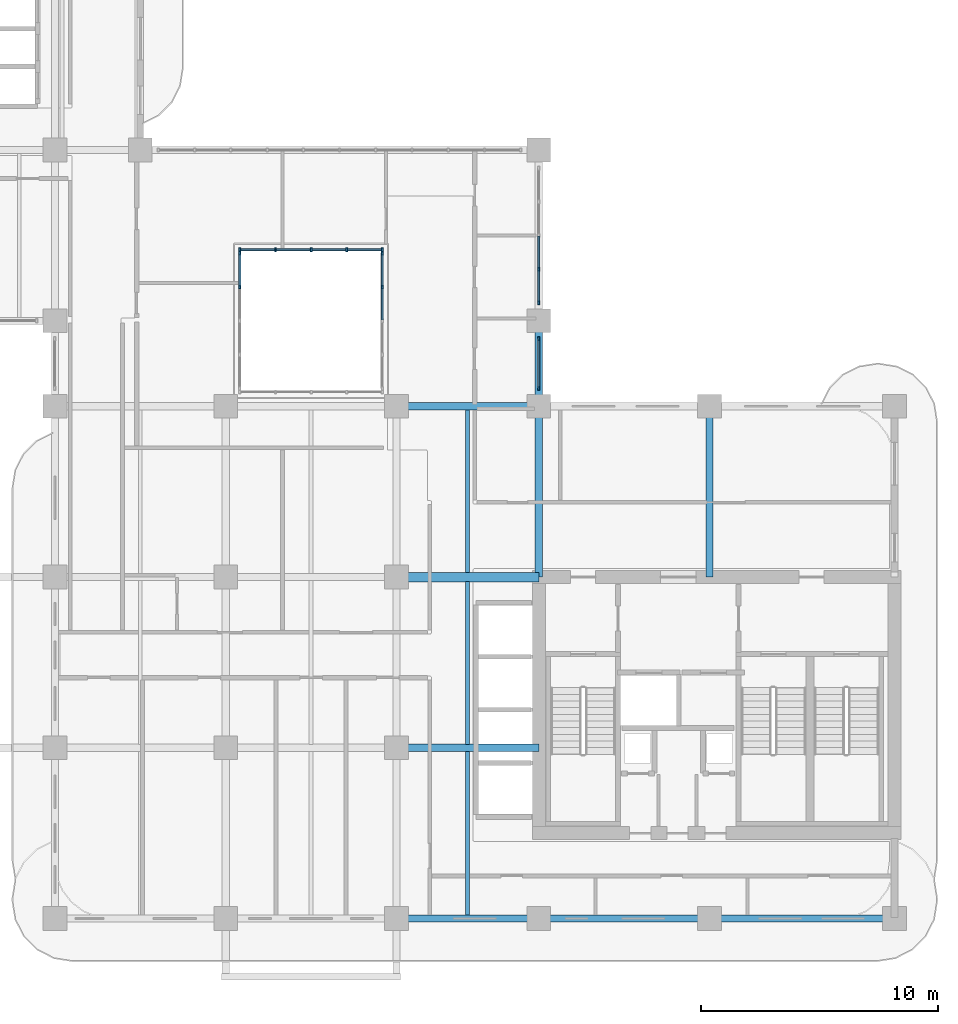
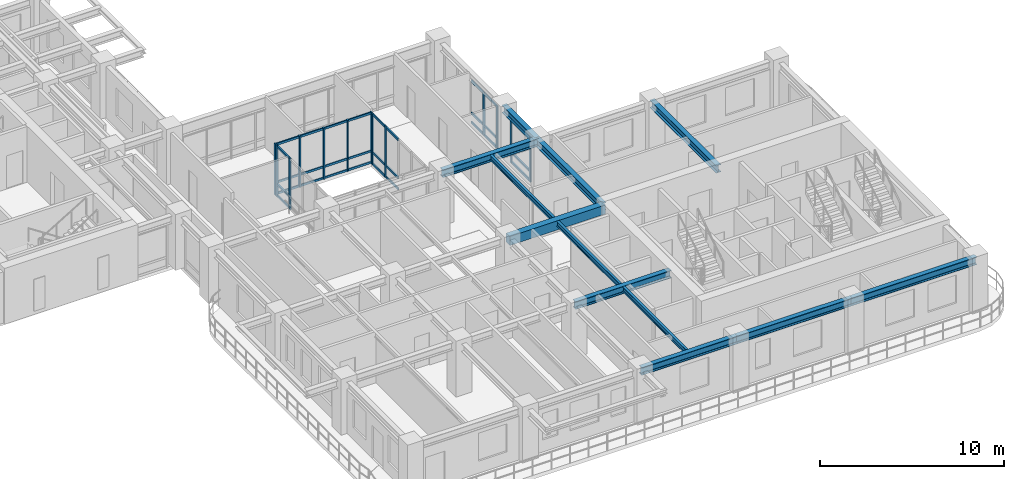
# One storey, part 3 of 21: 43 members, 12 beams, 5 elements without a shape of their own.
"""IFC4 building model written with IfcOpenShell, lengths in metres."""

from ifc_helpers import new_model, si_unit, derived_unit, direction, frame, origin, origin_2d, place, context, subcontext, project, spatial, rectangle, i_section, extrude, source, transform, mapped, material, layer, layer_set, material_profile, profile_set, type_object, type_shapes, element, aggregate, save


model = new_model("IFC4")

# Units and contexts
model_context = context("Model", 3, precision=1e-05, world=origin(), true_north=direction((0.0, 1.0)))
body_context = subcontext(model_context, "Body", "Model", "MODEL_VIEW")
ifc_project = project(units=[si_unit("LENGTHUNIT", "METRE"), si_unit("AREAUNIT", "SQUARE_METRE"), si_unit("VOLUMEUNIT", "CUBIC_METRE"), si_unit("PLANEANGLEUNIT", "RADIAN"), si_unit("MASSUNIT", "GRAM", prefix="KILO"), si_unit("THERMODYNAMICTEMPERATUREUNIT", "KELVIN"), si_unit("POWERUNIT", "WATT"), derived_unit("THERMALTRANSMITTANCEUNIT", [(si_unit("POWERUNIT", "WATT"), 1), (si_unit("AREAUNIT", "SQUARE_METRE"), -1), (si_unit("THERMODYNAMICTEMPERATUREUNIT", "KELVIN"), -1)])], contexts=[model_context])

# Site, building, storey
site_placement = place(None, origin())
site = spatial("IfcSite", under=ifc_project, at=site_placement, CompositionType="ELEMENT")
building_placement = place(site_placement, origin())
building = spatial("IfcBuilding", under=site, at=building_placement, Name="Zahravan Archway Hotel and Residences", CompositionType="ELEMENT")
storey_placement = place(building_placement, frame((0.0, 0.0, 141.39990234375)))
storey = spatial("IfcBuildingStorey", under=building, at=storey_placement, Name="L35", CompositionType="ELEMENT", Elevation=141.39990234375)

# Beams
ifc_material_1 = material(Name="Concrete C60/75", Category="concrete")
ifc_material_profile_1 = material_profile(ifc_material_1, rectangle(XDim=0.39990234375, YDim=0.60009765625, at=origin_2d()), Name="RC-LNT-400x600", Category="concrete")
ifc_profile_set_1 = profile_set([ifc_material_profile_1], Name="Concrete C60/75")
beam_type_1 = type_object("IfcBeamType", Name="LNT-RC-400x600", PredefinedType="LINTEL", material=ifc_profile_set_1)
shared_shape_1 = source(origin(), body_context, "Body", "SweptSolid", [
    extrude(rectangle(XDim=0.39990234375, YDim=0.60009765625, at=origin_2d()), origin(), (0.0, 0.0, 1.0), 6.0),
])
type_shapes(beam_type_1, [shared_shape_1])
beam_1_placement = place(storey_placement, frame((28.800048828125, 14.39990234375, 3.10009765625), z_axis=(1.0, 0.0, 0.0), x_axis=(0.0, 1.0, 0.0)))
element("IfcBeam", 1, at=beam_1_placement, inside=storey, type_object=beam_type_1, Name="L35 Core A Coupling Lintel Beam", PredefinedType="LINTEL", context=body_context, shape_type="MappedRepresentation", body=[
    mapped(shared_shape_1, transform((0.0, 0.0, 0.0), scale=1.0)),
])
ifc_material_2 = material(Name="Structural Steel S355JR", Category="steel")
ifc_material_profile_2 = material_profile(ifc_material_2, i_section(OverallWidth=0.300048828125, OverallDepth=0.5, WebThickness=0.014404296875, FlangeThickness=0.028076171875, FilletRadius=0.027099609375, at=origin_2d()), Name="HEB 500", Category="steel")
ifc_profile_set_2 = profile_set([ifc_material_profile_2], Name="Structural Steel S355JR")
beam_type_2 = type_object("IfcBeamType", Name="BM-PRI-HEB500", PredefinedType="BEAM", material=ifc_profile_set_2)
shared_shape_2 = source(origin(), body_context, "Body", "SweptSolid", [
    extrude(i_section(OverallWidth=0.300048828125, OverallDepth=0.5, WebThickness=0.014404296875, FlangeThickness=0.028076171875, FilletRadius=0.027099609375, at=origin_2d()), origin(), (0.0, 0.0, 1.0), 7.2001953125),
])
type_shapes(beam_type_2, [shared_shape_2])
for number, where, z_axis, x_axis, name in (
    (2, (34.800048828125, 14.39990234375, 3.150146484375), (0.0, 1.0, 0.0), (-1.0, 0.0, 0.0), "L35 Primary Girder NS-41"),
    (3, (42.0, 14.39990234375, 3.150146484375), (0.0, 1.0, 0.0), (-1.0, 0.0, 0.0), "L35 Primary Girder NS-44"),
):
    element("IfcBeam", number, at=place(storey_placement, frame(where, z_axis=z_axis, x_axis=x_axis)), inside=storey, type_object=beam_type_2, Name=name, PredefinedType="BEAM", context=body_context, shape_type="MappedRepresentation", body=[
        mapped(shared_shape_2, transform((0.0, 0.0, 0.0), scale=1.0)),
    ])
shared_shape_3 = source(origin(), body_context, "Body", "SweptSolid", [
    extrude(i_section(OverallWidth=0.300048828125, OverallDepth=0.5, WebThickness=0.014404296875, FlangeThickness=0.028076171875, FilletRadius=0.027099609375, at=origin_2d()), origin(), (0.0, 0.0, 1.0), 7.199951171875),
])
beam_2_placement = place(storey_placement, frame((34.800048828125, 0.0, 3.150146484375), z_axis=(1.0, 0.0, 0.0), x_axis=(0.0, 1.0, 0.0)))
element("IfcBeam", 4, at=beam_2_placement, inside=storey, type_object=beam_type_2, Name="L35 Primary Girder EW-04", PredefinedType="BEAM", context=body_context, shape_type="MappedRepresentation", body=[
    mapped(shared_shape_3, transform((0.0, 0.0, 0.0), scale=1.0)),
])
shared_shape_4 = source(origin(), body_context, "Body", "SweptSolid", [
    extrude(i_section(OverallWidth=0.300048828125, OverallDepth=0.5, WebThickness=0.014404296875, FlangeThickness=0.028076171875, FilletRadius=0.027099609375, at=origin_2d()), origin(), (0.0, 0.0, 1.0), 6.0),
])
for number, where, z_axis, x_axis, name in (
    (5, (28.800048828125, 0.0, 3.150146484375), (1.0, 0.0, 0.0), (0.0, 1.0, 0.0), "L35 Primary Girder EW-03"),
    (6, (28.800048828125, 7.199951171875, 3.150146484375), (1.0, 0.0, 0.0), (0.0, 1.0, 0.0), "L35 Primary Girder EW-08"),
    (7, (28.800048828125, 21.60009765625, 3.150146484375), (1.0, 0.0, 0.0), (0.0, 1.0, 0.0), "L35 Primary Girder EW-13"),
):
    element("IfcBeam", number, at=place(storey_placement, frame(where, z_axis=z_axis, x_axis=x_axis)), inside=storey, type_object=beam_type_2, Name=name, PredefinedType="BEAM", context=body_context, shape_type="MappedRepresentation", body=[
        mapped(shared_shape_4, transform((0.0, 0.0, 0.0), scale=1.0)),
    ])
shared_shape_5 = source(origin(), body_context, "Body", "SweptSolid", [
    extrude(i_section(OverallWidth=0.300048828125, OverallDepth=0.5, WebThickness=0.014404296875, FlangeThickness=0.028076171875, FilletRadius=0.027099609375, at=origin_2d()), origin(), (0.0, 0.0, 1.0), 7.800048828125),
])
beam_3_placement = place(storey_placement, frame((42.0, 0.0, 3.150146484375), z_axis=(1.0, 0.0, 0.0), x_axis=(0.0, 1.0, 0.0)))
element("IfcBeam", 8, at=beam_3_placement, inside=storey, type_object=beam_type_2, Name="L35 Primary Girder EW-05", PredefinedType="BEAM", context=body_context, shape_type="MappedRepresentation", body=[
    mapped(shared_shape_5, transform((0.0, 0.0, 0.0), scale=1.0)),
])
shared_shape_6 = source(origin(), body_context, "Body", "SweptSolid", [
    extrude(i_section(OverallWidth=0.300048828125, OverallDepth=0.5, WebThickness=0.014404296875, FlangeThickness=0.028076171875, FilletRadius=0.027099609375, at=origin_2d()), origin(), (0.0, 0.0, 1.0), 3.599853515625),
])
beam_4_placement = place(storey_placement, frame((34.800048828125, 21.60009765625, 3.150146484375), z_axis=(0.0, 1.0, 0.0), x_axis=(-1.0, 0.0, 0.0)))
element("IfcBeam", 9, at=beam_4_placement, inside=storey, type_object=beam_type_2, Name="L35 Primary Girder NS-42", PredefinedType="BEAM", context=body_context, shape_type="MappedRepresentation", body=[
    mapped(shared_shape_6, transform((0.0, 0.0, 0.0), scale=1.0)),
])
ifc_material_profile_3 = material_profile(ifc_material_2, i_section(OverallWidth=0.159912109375, OverallDepth=0.330078125, WebThickness=0.007568359375, FlangeThickness=0.011474609375, FilletRadius=0.01806640625, at=origin_2d()), Name="IPE 330", Category="steel")
ifc_profile_set_3 = profile_set([ifc_material_profile_3], Name="Structural Steel S355JR")
beam_type_3 = type_object("IfcBeamType", Name="BM-JST-IPE330", PredefinedType="JOIST", material=ifc_profile_set_3)
shared_shape_7 = source(origin(), body_context, "Body", "SweptSolid", [
    extrude(i_section(OverallWidth=0.159912109375, OverallDepth=0.330078125, WebThickness=0.007568359375, FlangeThickness=0.011474609375, FilletRadius=0.01806640625, at=origin_2d()), origin(), (0.0, 0.0, 1.0), 6.904052734375),
])
type_shapes(beam_type_3, [shared_shape_7])
beam_5_placement = place(storey_placement, frame((31.800048828125, 0.14794921875, 3.235107421875), z_axis=(0.0, 1.0, 0.0), x_axis=(-1.0, 0.0, 0.0)))
element("IfcBeam", 10, at=beam_5_placement, inside=storey, type_object=beam_type_3, Name="L35 Composite Floor Joist 03", PredefinedType="JOIST", context=body_context, shape_type="MappedRepresentation", body=[
    mapped(shared_shape_7, transform((0.0, 0.0, 0.0), scale=1.0)),
])
shared_shape_8 = source(origin(), body_context, "Body", "SweptSolid", [
    extrude(i_section(OverallWidth=0.159912109375, OverallDepth=0.330078125, WebThickness=0.007568359375, FlangeThickness=0.011474609375, FilletRadius=0.01806640625, at=origin_2d()), origin(), (0.0, 0.0, 1.0), 6.85400390625),
])
for number, where, z_axis, x_axis, name in (
    (11, (31.800048828125, 7.347900390625, 3.235107421875), (0.0, 1.0, 0.0), (-1.0, 0.0, 0.0), "L35 Composite Floor Joist 06"),
    (12, (31.800048828125, 14.597900390625, 3.235107421875), (0.0, 1.0, 0.0), (-1.0, 0.0, 0.0), "L35 Composite Floor Joist 07"),
):
    element("IfcBeam", number, at=place(storey_placement, frame(where, z_axis=z_axis, x_axis=x_axis)), inside=storey, type_object=beam_type_3, Name=name, PredefinedType="JOIST", context=body_context, shape_type="MappedRepresentation", body=[
        mapped(shared_shape_8, transform((0.0, 0.0, 0.0), scale=1.0)),
    ])

# Curtain wall, members
ifc_material_3 = material(Name="Bronze-Anodized Unitised Aluminium & Low-E Glass", Category="aluminium")
ifc_layer = layer(ifc_material_3, 0.179931640625, Name="Bronze-Anodized Unitised Aluminium & Low-E Glass", Category="aluminium")
ifc_layer_set = layer_set([ifc_layer], Name="Bronze-Anodized Unitised Aluminium & Low-E Glass")
curtain_wall_type = type_object("IfcCurtainWallType", Name="CW-ATR-GLAZ", PredefinedType="NOTDEFINED", material=ifc_layer_set)
curtain_wall_1_placement = place(storey_placement, origin())
curtain_wall_1 = element("IfcCurtainWall", 13, at=curtain_wall_1_placement, inside=storey, type_object=curtain_wall_type, Name="L35 Curtain Wall CW-L35-HNG-E-2", PredefinedType="NOTDEFINED")
ifc_material_4 = material(Name="Bronze-Anodized Extruded Aluminium", Category="aluminium")
ifc_material_profile_4 = material_profile(ifc_material_4, rectangle(XDim=0.080078125, YDim=0.139892578125, at=origin_2d()), Name="TRN 80x140", Category="aluminium")
ifc_profile_set_4 = profile_set([ifc_material_profile_4], Name="Bronze-Anodized Extruded Aluminium")
member_type_1 = type_object("IfcMemberType", Name="CWM-TRN-140", PredefinedType="USERDEFINED", material=ifc_profile_set_4)
shared_shape_9 = source(origin(), body_context, "Body", "SweptSolid", [
    extrude(rectangle(XDim=0.080078125, YDim=0.139892578125, at=origin_2d()), origin(), (0.0, 0.0, 1.0), 1.340087890625),
])
member_1_placement = place(storey_placement, frame((34.800048828125, 26.0, 0.070068359375), z_axis=(0.0, 1.0, 0.0), x_axis=(-1.0, 0.0, 0.0)))
member_1 = element("IfcMember", 14, at=member_1_placement, type_object=member_type_1, Name="CW-L35-HNG-E-2 Transom 0-1", ObjectType="TRANSOM", PredefinedType="USERDEFINED", context=body_context, shape_type="MappedRepresentation", body=[
    mapped(shared_shape_9, transform((0.0, 0.0, 0.0), scale=1.0)),
])
member_2_placement = place(storey_placement, frame((34.800048828125, 26.0, 0.6923828125), z_axis=(0.0, 1.0, 0.0), x_axis=(-1.0, 0.0, 0.0)))
member_2 = element("IfcMember", 15, at=member_2_placement, type_object=member_type_1, Name="CW-L35-HNG-E-2 Transom 0-2", ObjectType="TRANSOM", PredefinedType="USERDEFINED", context=body_context, shape_type="MappedRepresentation", body=[
    mapped(shared_shape_9, transform((0.0, 0.0, 0.0), scale=1.0)),
])
member_3_placement = place(storey_placement, frame((34.800048828125, 26.0, 2.815185546875), z_axis=(0.0, 1.0, 0.0), x_axis=(-1.0, 0.0, 0.0)))
member_3 = element("IfcMember", 16, at=member_3_placement, type_object=member_type_1, Name="CW-L35-HNG-E-2 Transom 0-3", ObjectType="TRANSOM", PredefinedType="USERDEFINED", context=body_context, shape_type="MappedRepresentation", body=[
    mapped(shared_shape_9, transform((0.0, 0.0, 0.0), scale=1.0)),
])
member_4_placement = place(storey_placement, frame((34.800048828125, 27.419921875, 0.070068359375), z_axis=(0.0, 1.0, 0.0), x_axis=(-1.0, 0.0, 0.0)))
member_4 = element("IfcMember", 17, at=member_4_placement, type_object=member_type_1, Name="CW-L35-HNG-E-2 Transom 1-1", ObjectType="TRANSOM", PredefinedType="USERDEFINED", context=body_context, shape_type="MappedRepresentation", body=[
    mapped(shared_shape_9, transform((0.0, 0.0, 0.0), scale=1.0)),
])
member_5_placement = place(storey_placement, frame((34.800048828125, 27.419921875, 0.6923828125), z_axis=(0.0, 1.0, 0.0), x_axis=(-1.0, 0.0, 0.0)))
member_5 = element("IfcMember", 18, at=member_5_placement, type_object=member_type_1, Name="CW-L35-HNG-E-2 Transom 1-2", ObjectType="TRANSOM", PredefinedType="USERDEFINED", context=body_context, shape_type="MappedRepresentation", body=[
    mapped(shared_shape_9, transform((0.0, 0.0, 0.0), scale=1.0)),
])
member_6_placement = place(storey_placement, frame((34.800048828125, 27.419921875, 2.815185546875), z_axis=(0.0, 1.0, 0.0), x_axis=(-1.0, 0.0, 0.0)))
member_6 = element("IfcMember", 19, at=member_6_placement, type_object=member_type_1, Name="CW-L35-HNG-E-2 Transom 1-3", ObjectType="TRANSOM", PredefinedType="USERDEFINED", context=body_context, shape_type="MappedRepresentation", body=[
    mapped(shared_shape_9, transform((0.0, 0.0, 0.0), scale=1.0)),
])

curtain_wall_2_placement = place(storey_placement, origin())
curtain_wall_2 = element("IfcCurtainWall", 20, at=curtain_wall_2_placement, inside=storey, type_object=curtain_wall_type, Name="L35 Curtain Wall CW-L35-HNG-E-1", PredefinedType="NOTDEFINED")
ifc_material_profile_5 = material_profile(ifc_material_4, rectangle(XDim=0.080078125, YDim=0.159912109375, at=origin_2d()), Name="MUL 80x160", Category="aluminium")
ifc_profile_set_5 = profile_set([ifc_material_profile_5], Name="Bronze-Anodized Extruded Aluminium")
member_type_2 = type_object("IfcMemberType", Name="CWM-MUL-160", PredefinedType="MULLION", material=ifc_profile_set_5)
shared_shape_10 = source(origin(), body_context, "Body", "SweptSolid", [
    extrude(rectangle(XDim=0.080078125, YDim=0.159912109375, at=origin_2d()), origin(), (0.0, 0.0, 1.0), 2.885009765625),
])
member_7_placement = place(storey_placement, frame((34.800048828125, 22.360107421875, 0.0), z_axis=(0.0, 0.0, 1.0), x_axis=(1.0, 0.0, 0.0)))
member_7 = element("IfcMember", 21, at=member_7_placement, type_object=member_type_2, Name="CW-L35-HNG-E-1 Mullion 0", PredefinedType="MULLION", context=body_context, shape_type="MappedRepresentation", body=[
    mapped(shared_shape_10, transform((0.0, 0.0, 0.0), scale=1.0)),
])
member_8_placement = place(storey_placement, frame((34.800048828125, 24.43994140625, 0.0), z_axis=(0.0, 0.0, 1.0), x_axis=(1.0, 0.0, 0.0)))
member_8 = element("IfcMember", 22, at=member_8_placement, type_object=member_type_2, Name="CW-L35-HNG-E-1 Mullion 1", PredefinedType="MULLION", context=body_context, shape_type="MappedRepresentation", body=[
    mapped(shared_shape_10, transform((0.0, 0.0, 0.0), scale=1.0)),
])

# Member
member_9_placement = place(storey_placement, frame((34.800048828125, 25.9599609375, 0.0), z_axis=(0.0, 0.0, 1.0), x_axis=(1.0, 0.0, 0.0)))
member_9 = element("IfcMember", 23, at=member_9_placement, type_object=member_type_2, Name="CW-L35-HNG-E-2 Mullion 0", PredefinedType="MULLION", context=body_context, shape_type="MappedRepresentation", body=[
    mapped(shared_shape_10, transform((0.0, 0.0, 0.0), scale=1.0)),
])

member_10_placement = place(storey_placement, frame((34.800048828125, 27.3798828125, 0.0), z_axis=(0.0, 0.0, 1.0), x_axis=(1.0, 0.0, 0.0)))
member_10 = element("IfcMember", 24, at=member_10_placement, type_object=member_type_2, Name="CW-L35-HNG-E-2 Mullion 1", PredefinedType="MULLION", context=body_context, shape_type="MappedRepresentation", body=[
    mapped(shared_shape_10, transform((0.0, 0.0, 0.0), scale=1.0)),
])

aggregate(curtain_wall_1, [member_9, member_10, member_1, member_2, member_3, member_4, member_5, member_6])

shared_shape_11 = source(origin(), body_context, "Body", "SweptSolid", [
    extrude(rectangle(XDim=0.080078125, YDim=0.139892578125, at=origin_2d()), origin(), (0.0, 0.0, 1.0), 2.0),
])
member_11_placement = place(storey_placement, frame((34.800048828125, 22.39990234375, 0.070068359375), z_axis=(0.0, 1.0, 0.0), x_axis=(-1.0, 0.0, 0.0)))
member_11 = element("IfcMember", 25, at=member_11_placement, type_object=member_type_1, Name="CW-L35-HNG-E-1 Transom 0-1", ObjectType="TRANSOM", PredefinedType="USERDEFINED", context=body_context, shape_type="MappedRepresentation", body=[
    mapped(shared_shape_11, transform((0.0, 0.0, 0.0), scale=1.0)),
])

member_12_placement = place(storey_placement, frame((34.800048828125, 22.39990234375, 0.6923828125), z_axis=(0.0, 1.0, 0.0), x_axis=(-1.0, 0.0, 0.0)))
member_12 = element("IfcMember", 26, at=member_12_placement, type_object=member_type_1, Name="CW-L35-HNG-E-1 Transom 0-2", ObjectType="TRANSOM", PredefinedType="USERDEFINED", context=body_context, shape_type="MappedRepresentation", body=[
    mapped(shared_shape_11, transform((0.0, 0.0, 0.0), scale=1.0)),
])

member_13_placement = place(storey_placement, frame((34.800048828125, 22.39990234375, 2.815185546875), z_axis=(0.0, 1.0, 0.0), x_axis=(-1.0, 0.0, 0.0)))
member_13 = element("IfcMember", 27, at=member_13_placement, type_object=member_type_1, Name="CW-L35-HNG-E-1 Transom 0-3", ObjectType="TRANSOM", PredefinedType="USERDEFINED", context=body_context, shape_type="MappedRepresentation", body=[
    mapped(shared_shape_11, transform((0.0, 0.0, 0.0), scale=1.0)),
])

aggregate(curtain_wall_2, [member_7, member_8, member_11, member_12, member_13])

# Curtain wall, members
curtain_wall_3_placement = place(storey_placement, origin())
curtain_wall_3 = element("IfcCurtainWall", 28, at=curtain_wall_3_placement, inside=storey, type_object=curtain_wall_type, Name="L35 Curtain Wall CW-ATR-L35-N-1", PredefinedType="NOTDEFINED")
shared_shape_12 = source(origin(), body_context, "Body", "SweptSolid", [
    extrude(rectangle(XDim=0.080078125, YDim=0.139892578125, at=origin_2d()), origin(), (0.0, 0.0, 1.0), 1.419921875),
])
member_14_placement = place(storey_placement, frame((22.239990234375, 28.199951171875, 0.070068359375), z_axis=(1.0, 0.0, 0.0), x_axis=(0.0, 1.0, 0.0)))
member_14 = element("IfcMember", 29, at=member_14_placement, type_object=member_type_1, Name="CW-ATR-L35-N-1 Transom 0-1", ObjectType="TRANSOM", PredefinedType="USERDEFINED", context=body_context, shape_type="MappedRepresentation", body=[
    mapped(shared_shape_12, transform((0.0, 0.0, 0.0), scale=1.0)),
])
member_15_placement = place(storey_placement, frame((22.239990234375, 28.199951171875, 0.816162109375), z_axis=(1.0, 0.0, 0.0), x_axis=(0.0, 1.0, 0.0)))
member_15 = element("IfcMember", 30, at=member_15_placement, type_object=member_type_1, Name="CW-ATR-L35-N-1 Transom 0-2", ObjectType="TRANSOM", PredefinedType="USERDEFINED", context=body_context, shape_type="MappedRepresentation", body=[
    mapped(shared_shape_12, transform((0.0, 0.0, 0.0), scale=1.0)),
])
member_16_placement = place(storey_placement, frame((22.239990234375, 28.199951171875, 3.330078125), z_axis=(1.0, 0.0, 0.0), x_axis=(0.0, 1.0, 0.0)))
member_16 = element("IfcMember", 31, at=member_16_placement, type_object=member_type_1, Name="CW-ATR-L35-N-1 Transom 0-3", ObjectType="TRANSOM", PredefinedType="USERDEFINED", context=body_context, shape_type="MappedRepresentation", body=[
    mapped(shared_shape_12, transform((0.0, 0.0, 0.0), scale=1.0)),
])
member_17_placement = place(storey_placement, frame((23.739990234375, 28.199951171875, 0.070068359375), z_axis=(1.0, 0.0, 0.0), x_axis=(0.0, 1.0, 0.0)))
member_17 = element("IfcMember", 32, at=member_17_placement, type_object=member_type_1, Name="CW-ATR-L35-N-1 Transom 1-1", ObjectType="TRANSOM", PredefinedType="USERDEFINED", context=body_context, shape_type="MappedRepresentation", body=[
    mapped(shared_shape_12, transform((0.0, 0.0, 0.0), scale=1.0)),
])
member_18_placement = place(storey_placement, frame((23.739990234375, 28.199951171875, 0.816162109375), z_axis=(1.0, 0.0, 0.0), x_axis=(0.0, 1.0, 0.0)))
member_18 = element("IfcMember", 33, at=member_18_placement, type_object=member_type_1, Name="CW-ATR-L35-N-1 Transom 1-2", ObjectType="TRANSOM", PredefinedType="USERDEFINED", context=body_context, shape_type="MappedRepresentation", body=[
    mapped(shared_shape_12, transform((0.0, 0.0, 0.0), scale=1.0)),
])
member_19_placement = place(storey_placement, frame((23.739990234375, 28.199951171875, 3.330078125), z_axis=(1.0, 0.0, 0.0), x_axis=(0.0, 1.0, 0.0)))
member_19 = element("IfcMember", 34, at=member_19_placement, type_object=member_type_1, Name="CW-ATR-L35-N-1 Transom 1-3", ObjectType="TRANSOM", PredefinedType="USERDEFINED", context=body_context, shape_type="MappedRepresentation", body=[
    mapped(shared_shape_12, transform((0.0, 0.0, 0.0), scale=1.0)),
])
member_20_placement = place(storey_placement, frame((25.239990234375, 28.199951171875, 0.070068359375), z_axis=(1.0, 0.0, 0.0), x_axis=(0.0, 1.0, 0.0)))
member_20 = element("IfcMember", 35, at=member_20_placement, type_object=member_type_1, Name="CW-ATR-L35-N-1 Transom 2-1", ObjectType="TRANSOM", PredefinedType="USERDEFINED", context=body_context, shape_type="MappedRepresentation", body=[
    mapped(shared_shape_12, transform((0.0, 0.0, 0.0), scale=1.0)),
])
member_21_placement = place(storey_placement, frame((25.239990234375, 28.199951171875, 0.816162109375), z_axis=(1.0, 0.0, 0.0), x_axis=(0.0, 1.0, 0.0)))
member_21 = element("IfcMember", 36, at=member_21_placement, type_object=member_type_1, Name="CW-ATR-L35-N-1 Transom 2-2", ObjectType="TRANSOM", PredefinedType="USERDEFINED", context=body_context, shape_type="MappedRepresentation", body=[
    mapped(shared_shape_12, transform((0.0, 0.0, 0.0), scale=1.0)),
])
member_22_placement = place(storey_placement, frame((25.239990234375, 28.199951171875, 3.330078125), z_axis=(1.0, 0.0, 0.0), x_axis=(0.0, 1.0, 0.0)))
member_22 = element("IfcMember", 37, at=member_22_placement, type_object=member_type_1, Name="CW-ATR-L35-N-1 Transom 2-3", ObjectType="TRANSOM", PredefinedType="USERDEFINED", context=body_context, shape_type="MappedRepresentation", body=[
    mapped(shared_shape_12, transform((0.0, 0.0, 0.0), scale=1.0)),
])
member_23_placement = place(storey_placement, frame((26.739990234375, 28.199951171875, 0.070068359375), z_axis=(1.0, 0.0, 0.0), x_axis=(0.0, 1.0, 0.0)))
member_23 = element("IfcMember", 38, at=member_23_placement, type_object=member_type_1, Name="CW-ATR-L35-N-1 Transom 3-1", ObjectType="TRANSOM", PredefinedType="USERDEFINED", context=body_context, shape_type="MappedRepresentation", body=[
    mapped(shared_shape_12, transform((0.0, 0.0, 0.0), scale=1.0)),
])
member_24_placement = place(storey_placement, frame((26.739990234375, 28.199951171875, 0.816162109375), z_axis=(1.0, 0.0, 0.0), x_axis=(0.0, 1.0, 0.0)))
member_24 = element("IfcMember", 39, at=member_24_placement, type_object=member_type_1, Name="CW-ATR-L35-N-1 Transom 3-2", ObjectType="TRANSOM", PredefinedType="USERDEFINED", context=body_context, shape_type="MappedRepresentation", body=[
    mapped(shared_shape_12, transform((0.0, 0.0, 0.0), scale=1.0)),
])
member_25_placement = place(storey_placement, frame((26.739990234375, 28.199951171875, 3.330078125), z_axis=(1.0, 0.0, 0.0), x_axis=(0.0, 1.0, 0.0)))
member_25 = element("IfcMember", 40, at=member_25_placement, type_object=member_type_1, Name="CW-ATR-L35-N-1 Transom 3-3", ObjectType="TRANSOM", PredefinedType="USERDEFINED", context=body_context, shape_type="MappedRepresentation", body=[
    mapped(shared_shape_12, transform((0.0, 0.0, 0.0), scale=1.0)),
])

curtain_wall_4_placement = place(storey_placement, origin())
curtain_wall_4 = element("IfcCurtainWall", 41, at=curtain_wall_4_placement, inside=storey, type_object=curtain_wall_type, Name="L35 Curtain Wall CW-ATR-L35-W-1", PredefinedType="NOTDEFINED")
shared_shape_13 = source(origin(), body_context, "Body", "SweptSolid", [
    extrude(rectangle(XDim=0.080078125, YDim=0.139892578125, at=origin_2d()), origin(), (0.0, 0.0, 1.0), 1.344970703125),
])
member_26_placement = place(storey_placement, frame((22.199951171875, 26.6650390625, 0.070068359375), z_axis=(0.0, 1.0, 0.0), x_axis=(-1.0, 0.0, 0.0)))
member_26 = element("IfcMember", 42, at=member_26_placement, type_object=member_type_1, Name="CW-ATR-L35-W-1 Transom 3-1", ObjectType="TRANSOM", PredefinedType="USERDEFINED", context=body_context, shape_type="MappedRepresentation", body=[
    mapped(shared_shape_13, transform((0.0, 0.0, 0.0), scale=1.0)),
])
member_27_placement = place(storey_placement, frame((22.199951171875, 26.6650390625, 0.816162109375), z_axis=(0.0, 1.0, 0.0), x_axis=(-1.0, 0.0, 0.0)))
member_27 = element("IfcMember", 43, at=member_27_placement, type_object=member_type_1, Name="CW-ATR-L35-W-1 Transom 3-2", ObjectType="TRANSOM", PredefinedType="USERDEFINED", context=body_context, shape_type="MappedRepresentation", body=[
    mapped(shared_shape_13, transform((0.0, 0.0, 0.0), scale=1.0)),
])
member_28_placement = place(storey_placement, frame((22.199951171875, 26.6650390625, 3.330078125), z_axis=(0.0, 1.0, 0.0), x_axis=(-1.0, 0.0, 0.0)))
member_28 = element("IfcMember", 44, at=member_28_placement, type_object=member_type_1, Name="CW-ATR-L35-W-1 Transom 3-3", ObjectType="TRANSOM", PredefinedType="USERDEFINED", context=body_context, shape_type="MappedRepresentation", body=[
    mapped(shared_shape_13, transform((0.0, 0.0, 0.0), scale=1.0)),
])

curtain_wall_5_placement = place(storey_placement, origin())
curtain_wall_5 = element("IfcCurtainWall", 45, at=curtain_wall_5_placement, inside=storey, type_object=curtain_wall_type, Name="L35 Curtain Wall CW-ATR-L35-E-1", PredefinedType="NOTDEFINED")
member_29_placement = place(storey_placement, frame((28.199951171875, 25.239990234375, 0.070068359375), z_axis=(0.0, 1.0, 0.0), x_axis=(-1.0, 0.0, 0.0)))
member_29 = element("IfcMember", 46, at=member_29_placement, type_object=member_type_1, Name="CW-ATR-L35-E-1 Transom 2-1", ObjectType="TRANSOM", PredefinedType="USERDEFINED", context=body_context, shape_type="MappedRepresentation", body=[
    mapped(shared_shape_13, transform((0.0, 0.0, 0.0), scale=1.0)),
])
member_30_placement = place(storey_placement, frame((28.199951171875, 25.239990234375, 0.816162109375), z_axis=(0.0, 1.0, 0.0), x_axis=(-1.0, 0.0, 0.0)))
member_30 = element("IfcMember", 47, at=member_30_placement, type_object=member_type_1, Name="CW-ATR-L35-E-1 Transom 2-2", ObjectType="TRANSOM", PredefinedType="USERDEFINED", context=body_context, shape_type="MappedRepresentation", body=[
    mapped(shared_shape_13, transform((0.0, 0.0, 0.0), scale=1.0)),
])
member_31_placement = place(storey_placement, frame((28.199951171875, 25.239990234375, 3.330078125), z_axis=(0.0, 1.0, 0.0), x_axis=(-1.0, 0.0, 0.0)))
member_31 = element("IfcMember", 48, at=member_31_placement, type_object=member_type_1, Name="CW-ATR-L35-E-1 Transom 2-3", ObjectType="TRANSOM", PredefinedType="USERDEFINED", context=body_context, shape_type="MappedRepresentation", body=[
    mapped(shared_shape_13, transform((0.0, 0.0, 0.0), scale=1.0)),
])
member_32_placement = place(storey_placement, frame((28.199951171875, 26.6650390625, 0.070068359375), z_axis=(0.0, 1.0, 0.0), x_axis=(-1.0, 0.0, 0.0)))
member_32 = element("IfcMember", 49, at=member_32_placement, type_object=member_type_1, Name="CW-ATR-L35-E-1 Transom 3-1", ObjectType="TRANSOM", PredefinedType="USERDEFINED", context=body_context, shape_type="MappedRepresentation", body=[
    mapped(shared_shape_13, transform((0.0, 0.0, 0.0), scale=1.0)),
])
member_33_placement = place(storey_placement, frame((28.199951171875, 26.6650390625, 0.816162109375), z_axis=(0.0, 1.0, 0.0), x_axis=(-1.0, 0.0, 0.0)))
member_33 = element("IfcMember", 50, at=member_33_placement, type_object=member_type_1, Name="CW-ATR-L35-E-1 Transom 3-2", ObjectType="TRANSOM", PredefinedType="USERDEFINED", context=body_context, shape_type="MappedRepresentation", body=[
    mapped(shared_shape_13, transform((0.0, 0.0, 0.0), scale=1.0)),
])
member_34_placement = place(storey_placement, frame((28.199951171875, 26.6650390625, 3.330078125), z_axis=(0.0, 1.0, 0.0), x_axis=(-1.0, 0.0, 0.0)))
member_34 = element("IfcMember", 51, at=member_34_placement, type_object=member_type_1, Name="CW-ATR-L35-E-1 Transom 3-3", ObjectType="TRANSOM", PredefinedType="USERDEFINED", context=body_context, shape_type="MappedRepresentation", body=[
    mapped(shared_shape_13, transform((0.0, 0.0, 0.0), scale=1.0)),
])

# Member
shared_shape_14 = source(origin(), body_context, "Body", "SweptSolid", [
    extrude(rectangle(XDim=0.080078125, YDim=0.159912109375, at=origin_2d()), origin(), (0.0, 0.0, 1.0), 3.400146484375),
])
member_35_placement = place(storey_placement, frame((22.199951171875, 28.199951171875, 0.0), z_axis=(0.0, 0.0, 1.0), x_axis=(1.0, 0.0, 0.0)))
member_35 = element("IfcMember", 52, at=member_35_placement, type_object=member_type_2, Name="CW-ATR-L35-N-1 Mullion 0", PredefinedType="MULLION", context=body_context, shape_type="MappedRepresentation", body=[
    mapped(shared_shape_14, transform((0.0, 0.0, 0.0), scale=1.0)),
])

member_36_placement = place(storey_placement, frame((23.699951171875, 28.199951171875, 0.0), z_axis=(0.0, 0.0, 1.0), x_axis=(1.0, 0.0, 0.0)))
member_36 = element("IfcMember", 53, at=member_36_placement, type_object=member_type_2, Name="CW-ATR-L35-N-1 Mullion 1", PredefinedType="MULLION", context=body_context, shape_type="MappedRepresentation", body=[
    mapped(shared_shape_14, transform((0.0, 0.0, 0.0), scale=1.0)),
])

member_37_placement = place(storey_placement, frame((25.199951171875, 28.199951171875, 0.0), z_axis=(0.0, 0.0, 1.0), x_axis=(1.0, 0.0, 0.0)))
member_37 = element("IfcMember", 54, at=member_37_placement, type_object=member_type_2, Name="CW-ATR-L35-N-1 Mullion 2", PredefinedType="MULLION", context=body_context, shape_type="MappedRepresentation", body=[
    mapped(shared_shape_14, transform((0.0, 0.0, 0.0), scale=1.0)),
])

member_38_placement = place(storey_placement, frame((26.699951171875, 28.199951171875, 0.0), z_axis=(0.0, 0.0, 1.0), x_axis=(1.0, 0.0, 0.0)))
member_38 = element("IfcMember", 55, at=member_38_placement, type_object=member_type_2, Name="CW-ATR-L35-N-1 Mullion 3", PredefinedType="MULLION", context=body_context, shape_type="MappedRepresentation", body=[
    mapped(shared_shape_14, transform((0.0, 0.0, 0.0), scale=1.0)),
])

member_39_placement = place(storey_placement, frame((28.199951171875, 28.199951171875, 0.0), z_axis=(0.0, 0.0, 1.0), x_axis=(1.0, 0.0, 0.0)))
member_39 = element("IfcMember", 56, at=member_39_placement, type_object=member_type_2, Name="CW-ATR-L35-N-1 Mullion 4", PredefinedType="MULLION", context=body_context, shape_type="MappedRepresentation", body=[
    mapped(shared_shape_14, transform((0.0, 0.0, 0.0), scale=1.0)),
])

aggregate(curtain_wall_3, [member_35, member_36, member_37, member_38, member_39, member_14, member_15, member_16, member_17, member_18, member_19, member_20, member_21, member_22, member_23, member_24, member_25])

member_40_placement = place(storey_placement, frame((22.199951171875, 26.625, 0.0), z_axis=(0.0, 0.0, 1.0), x_axis=(1.0, 0.0, 0.0)))
member_40 = element("IfcMember", 57, at=member_40_placement, type_object=member_type_2, Name="CW-ATR-L35-W-1 Mullion 3", PredefinedType="MULLION", context=body_context, shape_type="MappedRepresentation", body=[
    mapped(shared_shape_14, transform((0.0, 0.0, 0.0), scale=1.0)),
])

member_41_placement = place(storey_placement, frame((22.199951171875, 28.050048828125, 0.0), z_axis=(0.0, 0.0, 1.0), x_axis=(1.0, 0.0, 0.0)))
member_41 = element("IfcMember", 58, at=member_41_placement, type_object=member_type_2, Name="CW-ATR-L35-W-1 Mullion 4", PredefinedType="MULLION", context=body_context, shape_type="MappedRepresentation", body=[
    mapped(shared_shape_14, transform((0.0, 0.0, 0.0), scale=1.0)),
])

aggregate(curtain_wall_4, [member_40, member_41, member_26, member_27, member_28])

member_42_placement = place(storey_placement, frame((28.199951171875, 26.625, 0.0), z_axis=(0.0, 0.0, 1.0), x_axis=(1.0, 0.0, 0.0)))
member_42 = element("IfcMember", 59, at=member_42_placement, type_object=member_type_2, Name="CW-ATR-L35-E-1 Mullion 3", PredefinedType="MULLION", context=body_context, shape_type="MappedRepresentation", body=[
    mapped(shared_shape_14, transform((0.0, 0.0, 0.0), scale=1.0)),
])

member_43_placement = place(storey_placement, frame((28.199951171875, 28.050048828125, 0.0), z_axis=(0.0, 0.0, 1.0), x_axis=(1.0, 0.0, 0.0)))
member_43 = element("IfcMember", 60, at=member_43_placement, type_object=member_type_2, Name="CW-ATR-L35-E-1 Mullion 4", PredefinedType="MULLION", context=body_context, shape_type="MappedRepresentation", body=[
    mapped(shared_shape_14, transform((0.0, 0.0, 0.0), scale=1.0)),
])

aggregate(curtain_wall_5, [member_42, member_43, member_29, member_30, member_31, member_32, member_33, member_34])

save(model, "model.ifc")
